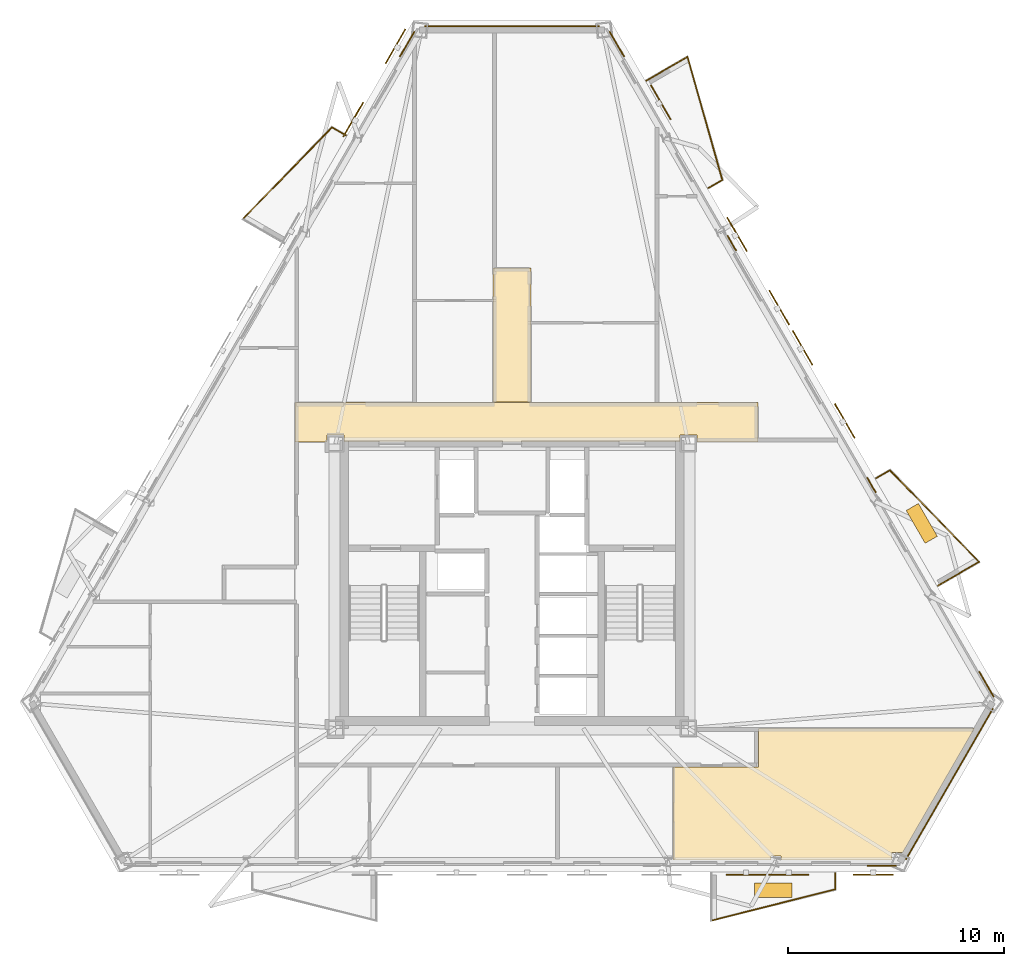
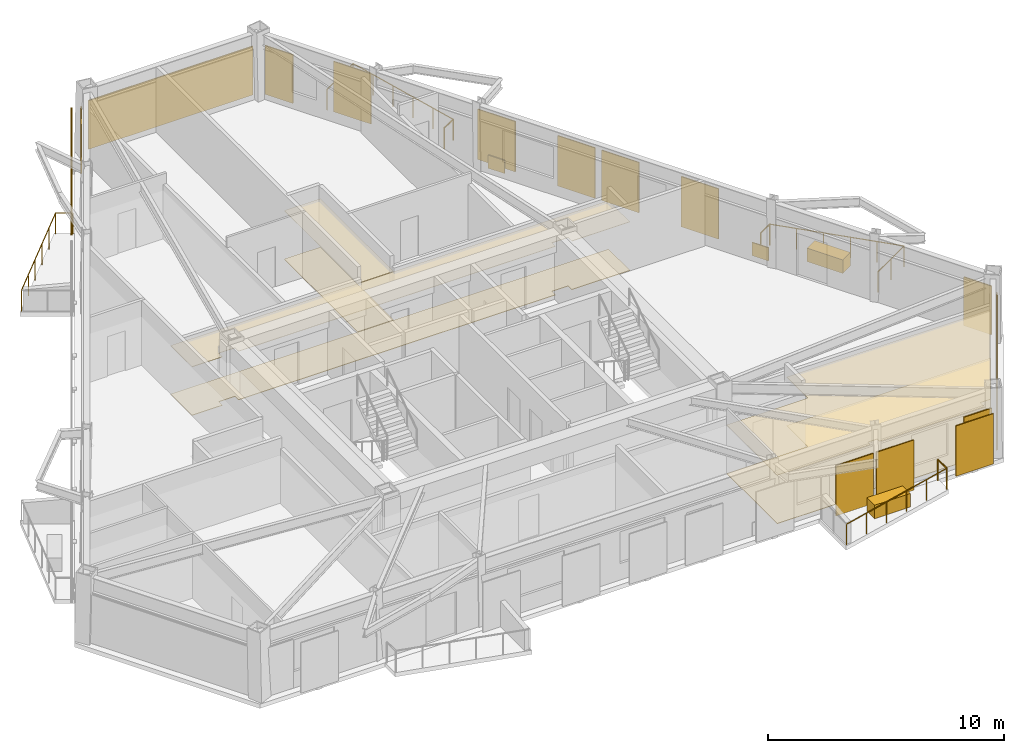
# One storey, part 8 of 8: 16 coverings, 10 railings, 10 shading devices.
"""IFC4 building model written with IfcOpenShell, lengths in metres."""

import ifcopenshell
import ifcopenshell.guid

model = None  # the IFC model being written
_history = None  # IfcOwnerHistory: only IFC2X3 demands one
_inside = {}  # id of a spatial element -> (the spatial element, [elements in it])
_under = {}  # id of a project, library or spatial element -> (it, [spatial elements below it])
_declared = {}  # id of a project -> (the project, [libraries it declares])
_typed = {}  # id of a type object -> (the type object, [elements of that type])
_made_of = {}  # id of a material, layer set ... -> (it, [elements and type objects made of it])


def new_model(schema):
    """Start an empty IFC model of exactly this schema.

    Asked for "IFC4X3", IfcOpenShell would pick the latest addendum, in which some entities
    have other attributes; the version numbers below select the first issue.
    IFC2X3 requires an IfcOwnerHistory on every rooted entity: one is made here for all.
    """
    global model, _history
    if schema == "IFC4X3":
        model = ifcopenshell.file(schema_version=(4, 3, 0, 0))
    else:
        model = ifcopenshell.file(schema=schema)
    _inside.clear()
    _under.clear()
    _declared.clear()
    _typed.clear()
    _made_of.clear()
    _history = None
    if model.schema == "IFC2X3":
        org = make("IfcOrganization", Name="unknown")
        user = make(
            "IfcPersonAndOrganization",
            ThePerson=make("IfcPerson", FamilyName="unknown"),
            TheOrganization=org,
        )
        app = make(
            "IfcApplication",
            ApplicationDeveloper=org,
            Version="unknown",
            ApplicationFullName="unknown",
            ApplicationIdentifier="unknown",
        )
        _history = make(
            "IfcOwnerHistory",
            OwningUser=user,
            OwningApplication=app,
            ChangeAction="ADDED",
            CreationDate=0,
        )
    return model


def make(cls, **values):
    """One entity of the class cls with the attributes given. An attribute that is None is left unset."""
    return model.create_entity(
        cls, **{name: value for name, value in values.items() if value is not None}
    )


def rooted(cls, **values):
    """An entity with a GlobalId (a new one), such as an element, a storey or a relation."""
    return make(cls, GlobalId=ifcopenshell.guid.new(), OwnerHistory=_history, **values)


def si_unit(unit_type, name, prefix=None):
    """IfcSIUnit, for example si_unit("LENGTHUNIT", "METRE", prefix="MILLI")."""
    return make("IfcSIUnit", UnitType=unit_type, Prefix=prefix, Name=name)


def assignment(units):
    """IfcUnitAssignment: the units of a project."""
    return None if units is None else make("IfcUnitAssignment", Units=units)


def point(xyz):
    """IfcCartesianPoint."""
    return None if xyz is None else make("IfcCartesianPoint", Coordinates=xyz)


def direction(xyz):
    """IfcDirection."""
    return None if xyz is None else make("IfcDirection", DirectionRatios=xyz)


def frame(location, z_axis=None, x_axis=None):
    """IfcAxis2Placement3D, a coordinate frame: its origin and axes. An axis left out is left unset."""
    return make(
        "IfcAxis2Placement3D",
        Location=point(location),
        Axis=direction(z_axis),
        RefDirection=direction(x_axis),
    )


def frame_2d(location, x_axis=None):
    """IfcAxis2Placement2D, a coordinate frame in the plane: its origin and x axis."""
    return make(
        "IfcAxis2Placement2D", Location=point(location), RefDirection=direction(x_axis)
    )


def origin():
    """The frame at (0, 0, 0) with its axes left unset."""
    return frame((0.0, 0.0, 0.0))


def origin_2d():
    """The frame at (0, 0) in the plane with its x axis left unset."""
    return frame_2d((0.0, 0.0))


def place(relative_to, where):
    """IfcLocalPlacement: puts the frame where relative to a parent placement (None: the world)."""
    return make(
        "IfcLocalPlacement", PlacementRelTo=relative_to, RelativePlacement=where
    )


def context(
    kind, dimensions, precision=None, world=None, true_north=None, identifier=None
):
    """IfcGeometricRepresentationContext, for example the 3D "Model" context."""
    return make(
        "IfcGeometricRepresentationContext",
        ContextIdentifier=identifier,
        ContextType=kind,
        CoordinateSpaceDimension=dimensions,
        Precision=precision,
        WorldCoordinateSystem=world,
        TrueNorth=true_north,
    )


def subcontext(parent, identifier, kind, view, scale=None):
    """IfcGeometricRepresentationSubContext, for example "Body" below "Model"."""
    return make(
        "IfcGeometricRepresentationSubContext",
        ContextIdentifier=identifier,
        ContextType=kind,
        ParentContext=parent,
        TargetScale=scale,
        TargetView=view,
    )


def project(units=None, contexts=None):
    """IfcProject with its units and contexts."""
    return rooted(
        "IfcProject",
        Name="project",
        RepresentationContexts=contexts,
        UnitsInContext=assignment(units),
    )


def spatial(cls, under=None, at=None, **own):
    """A site, building, storey or space (cls), placed at a placement, below another one or the project."""
    s = rooted(cls, ObjectPlacement=at, **own)
    if under is not None:
        _under.setdefault(under.id(), (under, []))[1].append(s)
    return s


def polyline(points):
    """IfcPolyline through the points."""
    return make("IfcPolyline", Points=[point(p) for p in points])


def profile(cls, at=None, kind="AREA", **sizes):
    """A parametric profile (cls). Its sizes go by their IFC names, for example OverallWidth=200.0."""
    return make(cls, ProfileType=kind, Position=at, **sizes)


def rectangle(**sizes):
    """IfcRectangleProfileDef."""
    return profile("IfcRectangleProfileDef", **sizes)


def circle(**sizes):
    """IfcCircleProfileDef."""
    return profile("IfcCircleProfileDef", **sizes)


def outline(outer, holes=None, kind="AREA"):
    """IfcArbitraryClosedProfileDef: a profile drawn as a closed curve; with holes, ...WithVoids."""
    if holes is None:
        return make("IfcArbitraryClosedProfileDef", ProfileType=kind, OuterCurve=outer)
    return make(
        "IfcArbitraryProfileDefWithVoids",
        ProfileType=kind,
        OuterCurve=outer,
        InnerCurves=holes,
    )


def extrude(swept, where, along, depth):
    """IfcExtrudedAreaSolid: the profile swept, set in the frame where, extruded along a direction by depth."""
    return make(
        "IfcExtrudedAreaSolid",
        SweptArea=swept,
        Position=where,
        ExtrudedDirection=direction(along),
        Depth=depth,
    )


def shape(context_of_items, identifier, shape_type, items):
    """IfcShapeRepresentation: the items that make up one representation, for example the "Body"."""
    return make(
        "IfcShapeRepresentation",
        ContextOfItems=context_of_items,
        RepresentationIdentifier=identifier,
        RepresentationType=shape_type,
        Items=items,
    )


def material(Name=None, Category=None):
    """IfcMaterial."""
    return make("IfcMaterial", Name=Name, Category=Category)


def layer(
    of_material, thickness, ventilated=None, Name=None, Category=None, Priority=None
):
    """IfcMaterialLayer: one layer of a wall or slab, of a material (None: an air gap)."""
    return make(
        "IfcMaterialLayer",
        Material=of_material,
        LayerThickness=thickness,
        IsVentilated=ventilated,
        Name=Name,
        Category=Category,
        Priority=Priority,
    )


def layer_set(layers, Name=None):
    """IfcMaterialLayerSet."""
    return make("IfcMaterialLayerSet", MaterialLayers=layers, LayerSetName=Name)


def made_of(thing, what):
    """Note that an element or type object is made of a material, layer set ...; save() writes the relation."""
    if what is not None:
        _made_of.setdefault(what.id(), (what, []))[1].append(thing)
    return thing


def type_object(cls, material=None, **own):
    """A type object (cls), such as IfcWallType, which elements share."""
    return made_of(rooted(cls, **own), material)


def element(
    cls,
    number,
    at=None,
    inside=None,
    cuts=None,
    type_object=None,
    material=None,
    context=None,
    identifier="Body",
    shape_type=None,
    held_by="IfcProductDefinitionShape",
    body=None,
    shapes=None,
    **own,
):
    """One element of the class cls, such as IfcWall. Its Tag is "e" and its number.

    at: its placement. inside: the storey or other place that contains it. cuts: it is an
    opening in that element (IfcRelVoidsElement). A single representation is given by context,
    identifier, shape_type and body (its items); several are given by shapes. held_by: the class
    of the entity that holds the representations. save() writes the other relations.
    """
    e = rooted(cls, Tag="e%d" % number, ObjectPlacement=at, **own)
    if body is not None:
        shapes = [shape(context, identifier, shape_type, body)]
    if shapes is not None:
        e.Representation = make(held_by, Representations=shapes)
    if inside is not None:
        _inside.setdefault(inside.id(), (inside, []))[1].append(e)
    if cuts is not None:
        rooted(
            "IfcRelVoidsElement", RelatingBuildingElement=cuts, RelatedOpeningElement=e
        )
    if type_object is not None:
        _typed.setdefault(type_object.id(), (type_object, []))[1].append(e)
    return made_of(e, material)


def aggregate(whole, parts):
    """IfcRelAggregates: a whole, such as a stair, and the parts it consists of."""
    return rooted("IfcRelAggregates", RelatingObject=whole, RelatedObjects=parts)


def save(model, path):
    """Write the relations noted so far, then the file.

    IfcRelAggregates (storeys below a building ...), IfcRelContainedInSpatialStructure (elements
    in a storey), IfcRelDefinesByType, IfcRelAssociatesMaterial and IfcRelDeclares: one each for
    every whole, place, type object, material and project.
    """
    for whole, parts in _under.values():
        aggregate(whole, parts)
    for where, things in _inside.values():
        rooted(
            "IfcRelContainedInSpatialStructure",
            RelatedElements=things,
            RelatingStructure=where,
        )
    for kind, things in _typed.values():
        rooted("IfcRelDefinesByType", RelatedObjects=things, RelatingType=kind)
    for what, things in _made_of.values():
        rooted("IfcRelAssociatesMaterial", RelatedObjects=things, RelatingMaterial=what)
    for by, libraries in _declared.values():
        rooted("IfcRelDeclares", RelatingContext=by, RelatedDefinitions=libraries)
    model.write(path)


model = new_model("IFC4")

# Units and contexts
model_context = context("Model", 3, precision=1e-05, world=origin(), true_north=direction((0.0, 1.0)))
body_context = subcontext(model_context, "Body", "Model", "MODEL_VIEW")
ifc_project = project(units=[si_unit("LENGTHUNIT", "METRE"), si_unit("AREAUNIT", "SQUARE_METRE"), si_unit("VOLUMEUNIT", "CUBIC_METRE"), si_unit("PLANEANGLEUNIT", "RADIAN"), si_unit("MASSUNIT", "GRAM", prefix="KILO")], contexts=[model_context])

# Site, building, storey
site_placement = place(None, origin())
site = spatial("IfcSite", under=ifc_project, at=site_placement, CompositionType="ELEMENT")
building_placement = place(site_placement, origin())
building = spatial("IfcBuilding", under=site, at=building_placement, Name="Oramaril Tower", CompositionType="ELEMENT")
storey_placement = place(building_placement, frame((0.0, 0.0, 171.0)))
storey = spatial("IfcBuildingStorey", under=building, at=storey_placement, Name="L45", CompositionType="ELEMENT", Elevation=171.0)

# Coverings
ifc_material_1 = material(Name="Mineral Fibre Acoustic Ceiling")
ifc_layer_1 = layer(ifc_material_1, 0.02001953125)
ifc_layer_set_1 = layer_set([ifc_layer_1], Name="CVT-CEIL")
covering_type_1 = type_object("IfcCoveringType", Name="CVT-CEIL", PredefinedType="CEILING", material=ifc_layer_set_1)
covering_1_placement = place(storey_placement, frame((0.0, 0.0, 2.511962890625)))
element("IfcCovering", 1, at=covering_1_placement, inside=storey, type_object=covering_type_1, Name="L45 Acoustic Suspended Ceiling 2", PredefinedType="CEILING", context=body_context, shape_type="SweptSolid", body=[
    extrude(outline(polyline([(48.8798828125, 24.239990234375), (46.044921875, 24.239990234375), (46.044921875, 24.544921875), (45.2548828125, 24.544921875), (45.2548828125, 24.25), (29.7451171875, 24.25), (29.7451171875, 24.544921875), (28.955078125, 24.544921875), (28.955078125, 24.239990234375), (27.469970703125, 24.239990234375), (27.469970703125, 26.050048828125), (48.8798828125, 26.050048828125), (48.8798828125, 24.239990234375)])), origin(), (0.0, 0.0, 1.0), 0.02001953125),
])
covering_2_placement = place(storey_placement, frame((0.0, 0.0, 2.511962890625)))
element("IfcCovering", 2, at=covering_2_placement, inside=storey, type_object=covering_type_1, Name="L45 Acoustic Suspended Ceiling 4", PredefinedType="CEILING", context=body_context, shape_type="SweptSolid", body=[
    extrude(outline(polyline([(38.3798828125, 26.070068359375), (36.6201171875, 26.070068359375), (36.6201171875, 32.280029296875), (38.3798828125, 32.280029296875), (38.3798828125, 26.070068359375)])), origin(), (0.0, 0.0, 1.0), 0.02001953125),
])
covering_3_placement = place(storey_placement, frame((0.0, 0.0, 2.511962890625)))
element("IfcCovering", 3, at=covering_3_placement, inside=storey, type_object=covering_type_1, Name="L45 Acoustic Suspended Ceiling 8", PredefinedType="CEILING", context=body_context, shape_type="SweptSolid", body=[
    extrude(outline(polyline([(55.564453125, 5.25390625), (55.063232421875, 5.25390625), (55.063232421875, 4.918701171875), (49.935546875, 4.918701171875), (49.935546875, 5.103515625), (49.47509765625, 5.103515625), (49.47509765625, 4.918701171875), (44.935302734375, 4.918701171875), (44.935302734375, 9.199951171875), (48.8798828125, 9.199951171875), (48.882080078125, 9.2001953125), (48.8837890625, 9.200439453125), (48.8857421875, 9.200927734375), (48.8876953125, 9.201416015625), (48.889404296875, 9.202392578125), (48.89111328125, 9.203369140625), (48.892578125, 9.20458984375), (48.89404296875, 9.205810546875), (48.8955078125, 9.207275390625), (48.896484375, 9.208984375), (48.897705078125, 9.210693359375), (48.8984375, 9.21240234375), (48.899169921875, 9.214111328125), (48.899658203125, 9.216064453125), (48.89990234375, 9.218017578125), (48.89990234375, 9.219970703125), (48.89990234375, 10.991943359375), (58.87744140625, 10.991943359375), (55.564453125, 5.25390625)])), origin(), (0.0, 0.0, 1.0), 0.02001953125),
])
ifc_material_2 = material(Name="Warm Cream Limestone", Category="masonry")
ifc_layer_2 = layer(ifc_material_2, 0.050048828125)
ifc_layer_set_2 = layer_set([ifc_layer_2], Name="CVT-CLD")
covering_type_2 = type_object("IfcCoveringType", Name="CVT-CLD", PredefinedType="CLADDING", material=ifc_layer_set_2)
covering_4_placement = place(storey_placement, frame((54.583251953125, 4.642578125, 0.0400390625), z_axis=(0.0, 0.0, 1.0), x_axis=(1.0, 0.0, 0.0)))
element("IfcCovering", 4, at=covering_4_placement, inside=storey, type_object=covering_type_2, Name="L45 Warm Cream Limestone Cladding", PredefinedType="CLADDING", context=body_context, shape_type="SweptSolid", body=[
    extrude(rectangle(XDim=1.35009765625, YDim=0.050048828125, at=origin_2d()), origin(), (0.0, 0.0, 1.0), 2.52001953125),
])
covering_5_placement = place(storey_placement, frame((57.7158203125, 8.428466796875, 0.0400390625), z_axis=(0.0, 0.0, 1.0), x_axis=(0.4999984885, 0.866026276448, 0.0)))
element("IfcCovering", 5, at=covering_5_placement, inside=storey, type_object=covering_type_2, Name="L45 Warm Cream Limestone Cladding", PredefinedType="CLADDING", context=body_context, shape_type="SweptSolid", body=[
    extrude(rectangle(XDim=8.048828125, YDim=0.050048828125, at=origin_2d()), origin(), (0.0, 0.0, 1.0), 2.52001953125),
])
for number, where, z_axis, x_axis, name in (
    (6, (59.427978515625, 13.0341796875, 0.0400390625), (0.0, 0.0, 1.0), (-0.5, 0.866025403784, 0.0), "L45 Warm Cream Limestone Cladding"),
    (7, (42.344970703125, 42.623291015625, 0.0400390625), (0.0, 0.0, 1.0), (-0.5, 0.866025403784, 0.0), "L45 Warm Cream Limestone Cladding"),
):
    element("IfcCovering", number, at=place(storey_placement, frame(where, z_axis=z_axis, x_axis=x_axis)), inside=storey, type_object=covering_type_2, Name=name, PredefinedType="CLADDING", context=body_context, shape_type="SweptSolid", body=[
        extrude(rectangle(XDim=1.35009765625, YDim=0.050048828125, at=origin_2d()), origin(), (0.0, 0.0, 1.0), 2.52001953125),
    ])
for number, where, z_axis, x_axis, name in (
    (8, (54.114501953125, 22.23779296875, 0.0400390625), (0.0, 0.0, 1.0), (-0.5, 0.866025403784, 0.0), "L45 Warm Cream Limestone Spandrel Cladding"),
    (9, (47.658447265625, 33.419677734375, 0.0400390625), (0.0, 0.0, 1.0), (-0.5, 0.866025403784, 0.0), "L45 Warm Cream Limestone Spandrel Cladding"),
):
    element("IfcCovering", number, at=place(storey_placement, frame(where, z_axis=z_axis, x_axis=x_axis)), inside=storey, type_object=covering_type_2, Name=name, PredefinedType="CLADDING", context=body_context, shape_type="SweptSolid", body=[
        extrude(rectangle(XDim=0.800048828125, YDim=0.050048828125, at=origin_2d()), origin(), (0.0, 0.0, 1.0), 0.679931640625),
    ])
covering_6_placement = place(storey_placement, frame((37.5, 43.443359375, 0.0400390625), z_axis=(0.0, 0.0, 1.0), x_axis=(-1.0, 0.0, 0.0)))
element("IfcCovering", 10, at=covering_6_placement, inside=storey, type_object=covering_type_2, Name="L45 Warm Cream Limestone Cladding", PredefinedType="CLADDING", context=body_context, shape_type="SweptSolid", body=[
    extrude(rectangle(XDim=8.048828125, YDim=0.050048828125, at=origin_2d()), origin(), (0.0, 0.0, 1.0), 2.52001953125),
])
covering_7_placement = place(storey_placement, frame((32.655029296875, 42.623291015625, 0.0400390625), z_axis=(0.0, 0.0, 1.0), x_axis=(-0.5, -0.866025403784, 0.0)))
element("IfcCovering", 11, at=covering_7_placement, inside=storey, type_object=covering_type_2, Name="L45 Warm Cream Limestone Cladding", PredefinedType="CLADDING", context=body_context, shape_type="SweptSolid", body=[
    extrude(rectangle(XDim=1.35009765625, YDim=0.050048828125, at=origin_2d()), origin(), (0.0, 0.0, 1.0), 2.52001953125),
])
for number, where, z_axis, x_axis, name in (
    (12, (49.57373046875, 3.51416015625, 0.0), (0.0, 0.0, 1.0), (1.0, 0.0, 0.0), "L45 Structural Tree Planter Box L45-BAL-S2"),
    (13, (56.438232421875, 20.469970703125, 0.0), (0.0, 0.0, 1.0), (-0.500001511499, 0.866024531118, 0.0), "L45 Structural Tree Planter Box L45-BAL-NE1"),
):
    element("IfcCovering", number, at=place(storey_placement, frame(where, z_axis=z_axis, x_axis=x_axis)), inside=storey, type_object=covering_type_2, Name=name, PredefinedType="CLADDING", context=body_context, shape_type="SweptSolid", body=[
        extrude(rectangle(XDim=1.75, YDim=0.64990234375, at=origin_2d()), origin(), (0.0, 0.0, 1.0), 0.699951171875),
    ])
ifc_material_3 = material(Name="Honed Quartzite Stone Flooring", Category="masonry")
ifc_layer_3 = layer(ifc_material_3, 0.02490234375)
ifc_layer_set_3 = layer_set([ifc_layer_3], Name="CVT-FLR")
covering_type_3 = type_object("IfcCoveringType", Name="CVT-FLR", PredefinedType="FLOORING", material=ifc_layer_set_3)
covering_8_placement = place(storey_placement, origin())
element("IfcCovering", 14, at=covering_8_placement, inside=storey, type_object=covering_type_3, Name="L45 Honed Stone Floor Finish 2", PredefinedType="FLOORING", context=body_context, shape_type="SweptSolid", body=[
    extrude(outline(polyline([(48.8798828125, 24.239990234375), (46.044921875, 24.239990234375), (46.044921875, 24.544921875), (45.2548828125, 24.544921875), (45.2548828125, 24.25), (29.7451171875, 24.25), (29.7451171875, 24.544921875), (28.955078125, 24.544921875), (28.955078125, 24.239990234375), (27.469970703125, 24.239990234375), (27.469970703125, 26.050048828125), (48.8798828125, 26.050048828125), (48.8798828125, 24.239990234375)])), origin(), (0.0, 0.0, 1.0), 0.02490234375),
])
covering_9_placement = place(storey_placement, origin())
element("IfcCovering", 15, at=covering_9_placement, inside=storey, type_object=covering_type_3, Name="L45 Honed Stone Floor Finish 4", PredefinedType="FLOORING", context=body_context, shape_type="SweptSolid", body=[
    extrude(outline(polyline([(38.3798828125, 26.070068359375), (36.6201171875, 26.070068359375), (36.6201171875, 32.280029296875), (38.3798828125, 32.280029296875), (38.3798828125, 26.070068359375)])), origin(), (0.0, 0.0, 1.0), 0.02490234375),
])
covering_10_placement = place(storey_placement, origin())
element("IfcCovering", 16, at=covering_10_placement, inside=storey, type_object=covering_type_3, Name="L45 Honed Stone Floor Finish 8", PredefinedType="FLOORING", context=body_context, shape_type="SweptSolid", body=[
    extrude(outline(polyline([(55.564453125, 5.25390625), (55.063232421875, 5.25390625), (55.063232421875, 4.918701171875), (49.935546875, 4.918701171875), (49.935546875, 5.103515625), (49.47509765625, 5.103515625), (49.47509765625, 4.918701171875), (44.935302734375, 4.918701171875), (44.935302734375, 9.199951171875), (48.8798828125, 9.199951171875), (48.882080078125, 9.2001953125), (48.8837890625, 9.200439453125), (48.8857421875, 9.200927734375), (48.8876953125, 9.201416015625), (48.889404296875, 9.202392578125), (48.89111328125, 9.203369140625), (48.892578125, 9.20458984375), (48.89404296875, 9.205810546875), (48.8955078125, 9.207275390625), (48.896484375, 9.208984375), (48.897705078125, 9.210693359375), (48.8984375, 9.21240234375), (48.899169921875, 9.214111328125), (48.899658203125, 9.216064453125), (48.89990234375, 9.218017578125), (48.89990234375, 9.219970703125), (48.89990234375, 10.991943359375), (58.87744140625, 10.991943359375), (55.564453125, 5.25390625)])), origin(), (0.0, 0.0, 1.0), 0.02490234375),
])

# Railings
ifc_material_4 = material(Name="Stainless Steel 316L", Category="steel")
railing_type = type_object("IfcRailingType", Name="RLT-GRD", PredefinedType="GUARDRAIL", material=ifc_material_4)
railing_1_placement = place(storey_placement, frame((52.438720703125, 4.302490234375, 0.0)))
element("IfcRailing", 17, at=railing_1_placement, inside=storey, type_object=railing_type, Name="L45 Balcony Guardrail L45-BAL-S2.1", PredefinedType="GUARDRAIL", context=body_context, shape_type="SweptSolid", body=[
    extrude(circle(Radius=0.02392578125, at=origin_2d()), frame((0.0, 0.0, 1.076171875), z_axis=(0.0, -1.0, 0.0), x_axis=(1.0, 0.0, 0.0)), (0.0, 0.0, 1.0), 0.741943359375),
    extrude(circle(Radius=0.02099609375, at=origin_2d()), origin(), (0.0, 0.0, 1.0), 1.052001953125),
    extrude(circle(Radius=0.02099609375, at=origin_2d()), frame((0.0, -0.741943359375, 0.0)), (0.0, 0.0, 1.0), 1.052001953125),
])
railing_2_placement = place(storey_placement, frame((52.438720703125, 3.560546875, 0.0)))
element("IfcRailing", 18, at=railing_2_placement, inside=storey, type_object=railing_type, Name="L45 Balcony Guardrail L45-BAL-S2.2", PredefinedType="GUARDRAIL", context=body_context, shape_type="SweptSolid", body=[
    extrude(circle(Radius=0.02392578125, at=origin_2d()), frame((0.0, 0.0, 1.076171875), z_axis=(-0.969443611257, -0.245314256807, 0.0), x_axis=(0.245314256807, -0.969443611257, 0.0)), (0.0, 0.0, 1.0), 5.91064453125),
    extrude(circle(Radius=0.02099609375, at=origin_2d()), origin(), (0.0, 0.0, 1.0), 1.052001953125),
    extrude(circle(Radius=0.02099609375, at=origin_2d()), frame((-1.14599609375, -0.2900390625, 0.0)), (0.0, 0.0, 1.0), 1.052001953125),
    extrude(circle(Radius=0.02099609375, at=origin_2d()), frame((-2.2919921875, -0.580078125, 0.0)), (0.0, 0.0, 1.0), 1.052001953125),
    extrude(circle(Radius=0.02099609375, at=origin_2d()), frame((-3.43798828125, -0.869873046875, 0.0)), (0.0, 0.0, 1.0), 1.052001953125),
    extrude(circle(Radius=0.02099609375, at=origin_2d()), frame((-4.583984375, -1.159912109375, 0.0)), (0.0, 0.0, 1.0), 1.052001953125),
    extrude(circle(Radius=0.02099609375, at=origin_2d()), frame((-5.72998046875, -1.449951171875, 0.0)), (0.0, 0.0, 1.0), 1.052001953125),
])
railing_3_placement = place(storey_placement, frame((54.322998046875, 22.556884765625, 0.0)))
element("IfcRailing", 19, at=railing_3_placement, inside=storey, type_object=railing_type, Name="L45 Balcony Guardrail L45-BAL-NE1.1", PredefinedType="GUARDRAIL", context=body_context, shape_type="SweptSolid", body=[
    extrude(circle(Radius=0.02392578125, at=origin_2d()), frame((0.0, 0.0, 1.076171875), z_axis=(0.866026623601, 0.49999788721, 0.0), x_axis=(-0.49999788721, 0.866026623601, 0.0)), (0.0, 0.0, 1.0), 0.74169921875),
    extrude(circle(Radius=0.02099609375, at=origin_2d()), origin(), (0.0, 0.0, 1.0), 1.052001953125),
    extrude(circle(Radius=0.02099609375, at=origin_2d()), frame((0.642333984375, 0.370849609375, 0.0)), (0.0, 0.0, 1.0), 1.052001953125),
])
railing_4_placement = place(storey_placement, frame((54.96533203125, 22.927734375, 0.0)))
element("IfcRailing", 20, at=railing_4_placement, inside=storey, type_object=railing_type, Name="L45 Balcony Guardrail L45-BAL-NE1.2", PredefinedType="GUARDRAIL", context=body_context, shape_type="SweptSolid", body=[
    extrude(circle(Radius=0.02392578125, at=origin_2d()), frame((0.0, 0.0, 1.076171875), z_axis=(0.697186915353, -0.716889395277, 0.0), x_axis=(0.716889395277, 0.697186915353, 0.0)), (0.0, 0.0, 1.0), 5.91064453125),
    extrude(circle(Radius=0.02099609375, at=origin_2d()), origin(), (0.0, 0.0, 1.0), 1.052001953125),
    extrude(circle(Radius=0.02099609375, at=origin_2d()), frame((0.82421875, -0.847412109375, 0.0)), (0.0, 0.0, 1.0), 1.052001953125),
    extrude(circle(Radius=0.02099609375, at=origin_2d()), frame((1.6484375, -1.69482421875, 0.0)), (0.0, 0.0, 1.0), 1.052001953125),
    extrude(circle(Radius=0.02099609375, at=origin_2d()), frame((2.472412109375, -2.54248046875, 0.0)), (0.0, 0.0, 1.0), 1.052001953125),
    extrude(circle(Radius=0.02099609375, at=origin_2d()), frame((3.296630859375, -3.389892578125, 0.0)), (0.0, 0.0, 1.0), 1.052001953125),
    extrude(circle(Radius=0.02099609375, at=origin_2d()), frame((4.120849609375, -4.2373046875, 0.0)), (0.0, 0.0, 1.0), 1.052001953125),
])
railing_5_placement = place(storey_placement, frame((59.086181640625, 18.6904296875, 0.0)))
element("IfcRailing", 21, at=railing_5_placement, inside=storey, type_object=railing_type, Name="L45 Balcony Guardrail L45-BAL-NE1.3", PredefinedType="GUARDRAIL", context=body_context, shape_type="SweptSolid", body=[
    extrude(circle(Radius=0.02392578125, at=origin_2d()), frame((0.0, 0.0, 1.076171875), z_axis=(-0.866020500697, -0.5000084923, 0.0), x_axis=(0.5000084923, -0.866020500697, 0.0)), (0.0, 0.0, 1.0), 2.19189453125),
    extrude(circle(Radius=0.02099609375, at=origin_2d()), origin(), (0.0, 0.0, 1.0), 1.052001953125),
    extrude(circle(Radius=0.02099609375, at=origin_2d()), frame((-0.94921875, -0.5478515625, 0.0)), (0.0, 0.0, 1.0), 1.052001953125),
    extrude(circle(Radius=0.02099609375, at=origin_2d()), frame((-1.898193359375, -1.095947265625, 0.0)), (0.0, 0.0, 1.0), 1.052001953125),
])
railing_6_placement = place(storey_placement, frame((43.711669921875, 40.93603515625, 0.0)))
element("IfcRailing", 22, at=railing_6_placement, inside=storey, type_object=railing_type, Name="L45 Balcony Guardrail L45-BAL-NE2.1", PredefinedType="GUARDRAIL", context=body_context, shape_type="SweptSolid", body=[
    extrude(circle(Radius=0.02392578125, at=origin_2d()), frame((0.0, 0.0, 1.076171875), z_axis=(0.866020500697, 0.5000084923, 0.0), x_axis=(-0.5000084923, 0.866020500697, 0.0)), (0.0, 0.0, 1.0), 2.19189453125),
    extrude(circle(Radius=0.02099609375, at=origin_2d()), origin(), (0.0, 0.0, 1.0), 1.052001953125),
    extrude(circle(Radius=0.02099609375, at=origin_2d()), frame((0.94921875, 0.5478515625, 0.0)), (0.0, 0.0, 1.0), 1.052001953125),
    extrude(circle(Radius=0.02099609375, at=origin_2d()), frame((1.898193359375, 1.095947265625, 0.0)), (0.0, 0.0, 1.0), 1.052001953125),
])
railing_7_placement = place(storey_placement, frame((45.60986328125, 42.031982421875, 0.0)))
element("IfcRailing", 23, at=railing_7_placement, inside=storey, type_object=railing_type, Name="L45 Balcony Guardrail L45-BAL-NE2.2", PredefinedType="GUARDRAIL", context=body_context, shape_type="SweptSolid", body=[
    extrude(circle(Radius=0.02392578125, at=origin_2d()), frame((0.0, 0.0, 1.076171875), z_axis=(0.27224886544, -0.962226873074, 0.0), x_axis=(0.962226873074, 0.27224886544, 0.0)), (0.0, 0.0, 1.0), 5.910400390625),
    extrude(circle(Radius=0.02099609375, at=origin_2d()), origin(), (0.0, 0.0, 1.0), 1.052001953125),
    extrude(circle(Radius=0.02099609375, at=origin_2d()), frame((0.32177734375, -1.137451171875, 0.0)), (0.0, 0.0, 1.0), 1.052001953125),
    extrude(circle(Radius=0.02099609375, at=origin_2d()), frame((0.6435546875, -2.27490234375, 0.0)), (0.0, 0.0, 1.0), 1.052001953125),
    extrude(circle(Radius=0.02099609375, at=origin_2d()), frame((0.965576171875, -3.412353515625, 0.0)), (0.0, 0.0, 1.0), 1.052001953125),
    extrude(circle(Radius=0.02099609375, at=origin_2d()), frame((1.287353515625, -4.5498046875, 0.0)), (0.0, 0.0, 1.0), 1.052001953125),
    extrude(circle(Radius=0.02099609375, at=origin_2d()), frame((1.609130859375, -5.687255859375, 0.0)), (0.0, 0.0, 1.0), 1.052001953125),
])
railing_8_placement = place(storey_placement, frame((47.218994140625, 36.3447265625, 0.0)))
element("IfcRailing", 24, at=railing_8_placement, inside=storey, type_object=railing_type, Name="L45 Balcony Guardrail L45-BAL-NE2.3", PredefinedType="GUARDRAIL", context=body_context, shape_type="SweptSolid", body=[
    extrude(circle(Radius=0.02392578125, at=origin_2d()), frame((0.0, 0.0, 1.076171875), z_axis=(-0.866026623601, -0.49999788721, 0.0), x_axis=(0.49999788721, -0.866026623601, 0.0)), (0.0, 0.0, 1.0), 0.74169921875),
    extrude(circle(Radius=0.02099609375, at=origin_2d()), origin(), (0.0, 0.0, 1.0), 1.052001953125),
    extrude(circle(Radius=0.02099609375, at=origin_2d()), frame((-0.642333984375, -0.370849609375, 0.0)), (0.0, 0.0, 1.0), 1.052001953125),
])
railing_9_placement = place(storey_placement, frame((25.0625, 34.53662109375, 0.0)))
element("IfcRailing", 25, at=railing_9_placement, inside=storey, type_object=railing_type, Name="L45 Balcony Guardrail L45-BAL-NW1.2", PredefinedType="GUARDRAIL", context=body_context, shape_type="SweptSolid", body=[
    extrude(circle(Radius=0.02392578125, at=origin_2d()), frame((0.0, 0.0, 1.076171875), z_axis=(0.697186915353, 0.716889395277, 0.0), x_axis=(-0.716889395277, 0.697186915353, 0.0)), (0.0, 0.0, 1.0), 5.91064453125),
    extrude(circle(Radius=0.02099609375, at=origin_2d()), origin(), (0.0, 0.0, 1.0), 1.052001953125),
    extrude(circle(Radius=0.02099609375, at=origin_2d()), frame((0.82421875, 0.847412109375, 0.0)), (0.0, 0.0, 1.0), 1.052001953125),
    extrude(circle(Radius=0.02099609375, at=origin_2d()), frame((1.6484375, 1.69482421875, 0.0)), (0.0, 0.0, 1.0), 1.052001953125),
    extrude(circle(Radius=0.02099609375, at=origin_2d()), frame((2.472412109375, 2.54248046875, 0.0)), (0.0, 0.0, 1.0), 1.052001953125),
    extrude(circle(Radius=0.02099609375, at=origin_2d()), frame((3.296630859375, 3.389892578125, 0.0)), (0.0, 0.0, 1.0), 1.052001953125),
    extrude(circle(Radius=0.02099609375, at=origin_2d()), frame((4.120849609375, 4.2373046875, 0.0)), (0.0, 0.0, 1.0), 1.052001953125),
])
railing_10_placement = place(storey_placement, frame((29.183349609375, 38.77392578125, 0.0)))
element("IfcRailing", 26, at=railing_10_placement, inside=storey, type_object=railing_type, Name="L45 Balcony Guardrail L45-BAL-NW1.3", PredefinedType="GUARDRAIL", context=body_context, shape_type="SweptSolid", body=[
    extrude(circle(Radius=0.02392578125, at=origin_2d()), frame((0.0, 0.0, 1.076171875), z_axis=(0.865966403178, -0.500102178127, 0.0), x_axis=(0.500102178127, 0.865966403178, 0.0)), (0.0, 0.0, 1.0), 0.741943359375),
    extrude(circle(Radius=0.02099609375, at=origin_2d()), origin(), (0.0, 0.0, 1.0), 1.052001953125),
    extrude(circle(Radius=0.02099609375, at=origin_2d()), frame((0.642578125, -0.37109375, 0.0)), (0.0, 0.0, 1.0), 1.052001953125),
])

# Shading devices
for number, where, z_axis, x_axis, name in (
    (27, (48.314697265625, 4.230712890625, -0.02001953125), (0.0, 0.0, 1.0), (1.0, 0.0, 0.0), "L45 Perforated Ceramic Solar Screen"),
    (28, (50.293701171875, 4.230712890625, -0.02001953125), (0.0, 0.0, 1.0), (1.0, 0.0, 0.0), "L45 Perforated Ceramic Solar Screen"),
    (29, (54.193603515625, 4.230712890625, -0.02001953125), (0.0, 0.0, 1.0), (1.0, 0.0, 0.0), "L45 Perforated Ceramic Solar Screen"),
    (30, (44.37353515625, 39.933349609375, -0.02001953125), (0.0, 0.0, 1.0), (-0.5, 0.866025403784, 0.0), "L45 Perforated Ceramic Solar Screen"),
    (31, (52.87646484375, 25.205810546875, -0.02001953125), (0.0, 0.0, 1.0), (-0.5, 0.866025403784, 0.0), "L45 Perforated Ceramic Solar Screen"),
    (32, (50.926513671875, 28.58349609375, -0.02001953125), (0.0, 0.0, 1.0), (-0.5, 0.866025403784, 0.0), "L45 Perforated Ceramic Solar Screen"),
    (33, (49.85205078125, 30.444580078125, -0.02001953125), (0.0, 0.0, 1.0), (-0.5, 0.866025403784, 0.0), "L45 Perforated Ceramic Solar Screen"),
    (34, (47.902099609375, 33.822021484375, -0.02001953125), (0.0, 0.0, 1.0), (-0.5, 0.866025403784, 0.0), "L45 Perforated Ceramic Solar Screen"),
    (35, (32.1171875, 42.515625, -0.02001953125), (0.0, 0.0, 1.0), (-0.5, -0.866025403784, 0.0), "L45 Perforated Ceramic Solar Screen"),
    (36, (30.167236328125, 39.13818359375, -0.02001953125), (0.0, 0.0, 1.0), (-0.5, -0.866025403784, 0.0), "L45 Perforated Ceramic Solar Screen"),
):
    element("IfcShadingDevice", number, at=place(storey_placement, frame(where, z_axis=z_axis, x_axis=x_axis)), inside=storey, Name=name, ObjectType="SCREEN", PredefinedType="USERDEFINED", context=body_context, shape_type="SweptSolid", body=[
        extrude(rectangle(XDim=1.8330078125, YDim=0.050048828125, at=origin_2d()), origin(), (0.0, 0.0, 1.0), 2.60009765625),
    ])

save(model, "model.ifc")
